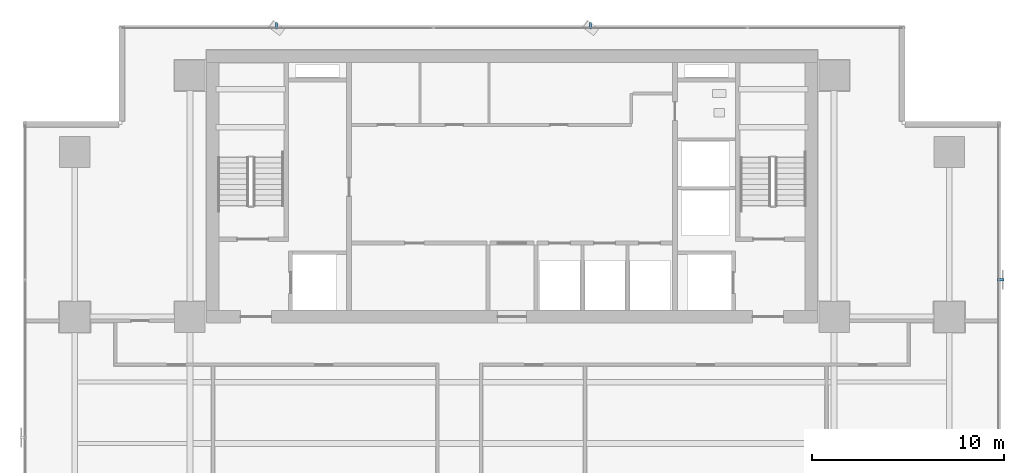
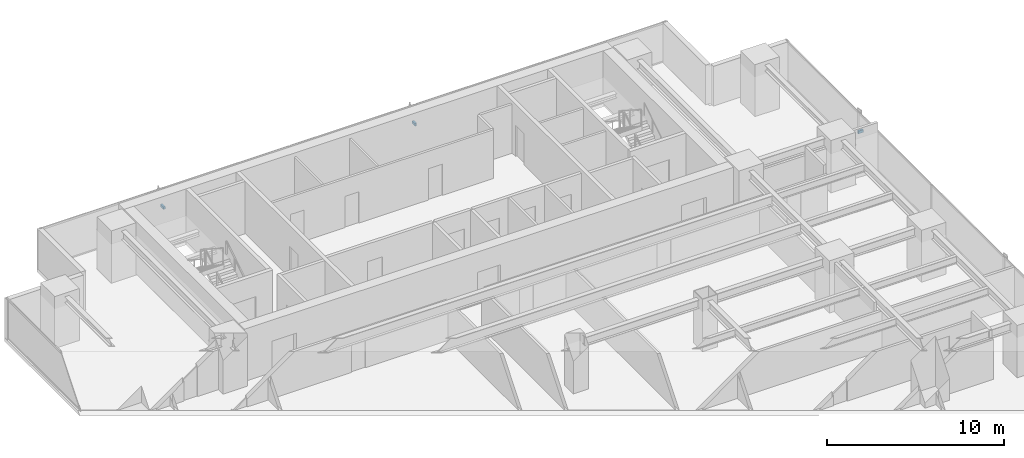
# One storey, part 32 of 37: 3 discrete accessories.
"""IFC4 building model written with IfcOpenShell, lengths in metres."""

from ifc_helpers import new_model, si_unit, direction, frame, origin, origin_2d, place, context, subcontext, project, spatial, rectangle, extrude, source, transform, mapped, material, material_profile, profile_set, type_object, element, save


model = new_model("IFC4")

# Units and contexts
model_context = context("Model", 3, precision=1e-05, world=origin(), true_north=direction((0.0, 1.0)))
body_context = subcontext(model_context, "Body", "Model", "MODEL_VIEW")
ifc_project = project(units=[si_unit("LENGTHUNIT", "METRE"), si_unit("AREAUNIT", "SQUARE_METRE"), si_unit("VOLUMEUNIT", "CUBIC_METRE"), si_unit("PLANEANGLEUNIT", "RADIAN"), si_unit("MASSUNIT", "GRAM", prefix="KILO")], contexts=[model_context])

# Site, building, storey
site_placement = place(None, origin())
site = spatial("IfcSite", under=ifc_project, at=site_placement, CompositionType="ELEMENT")
building_placement = place(site_placement, origin())
building = spatial("IfcBuilding", under=site, at=building_placement, Name="Sumidabori Civic Tower", CompositionType="ELEMENT")
storey_placement = place(building_placement, frame((0.0, 0.0, 110.0)))
storey = spatial("IfcBuildingStorey", under=building, at=storey_placement, Name="L28", CompositionType="ELEMENT", Elevation=110.0)

# Discrete accessories
ifc_material = material(Name="Stainless Steel Hairline Finish", Category="steel")
ifc_material_profile = material_profile(ifc_material, rectangle(XDim=0.1201171875, YDim=0.179931640625, at=origin_2d()), Name="STEEL BRACKET 180x120")
ifc_profile_set = profile_set([ifc_material_profile], Name="Stainless Steel Hairline Finish")
discrete_accessory_type = type_object("IfcDiscreteAccessoryType", Name="AC-BRK-180", PredefinedType="BRACKET", material=ifc_profile_set)
shared_shape_1 = source(origin(), body_context, "Body", "SweptSolid", [
    extrude(rectangle(XDim=0.1201171875, YDim=0.179931640625, at=origin_2d()), origin(), (0.0, 0.0, 1.0), 0.329833984375),
])
discrete_accessory_placement = place(storey_placement, frame((25.330078125, 12.14208984375, 1.360107421875), z_axis=(1.0, 0.0, 0.0), x_axis=(0.0, 1.0, 0.0)))
element("IfcDiscreteAccessory", 1, at=discrete_accessory_placement, inside=storey, type_object=discrete_accessory_type, Name="Bronze Fin Fixing Bracket L28-04", PredefinedType="BRACKET", context=body_context, shape_type="MappedRepresentation", body=[
    mapped(shared_shape_1, transform((0.0, 0.0, 0.0), x_axis=(1.0, 0.0, 0.0), y_axis=(0.0, 1.0, 0.0), z_axis=(0.0, 0.0, 1.0), scale=1.0)),
])
shared_shape_2 = source(origin(), body_context, "Body", "SweptSolid", [
    extrude(rectangle(XDim=0.1201171875, YDim=0.179931640625, at=origin_2d()), origin(), (0.0, 0.0, 1.0), 0.330078125),
])
for number, where, z_axis, x_axis, name in (
    (2, (4.093994140625, 25.22998046875, 1.360107421875), (0.0, 1.0, 0.0), (-1.0, 0.0, 0.0), "Bronze Fin Fixing Bracket L28-02"),
    (3, (-12.281982421875, 25.22998046875, 1.360107421875), (0.0, 1.0, 0.0), (-1.0, 0.0, 0.0), "Bronze Fin Fixing Bracket L28-04"),
):
    element("IfcDiscreteAccessory", number, at=place(storey_placement, frame(where, z_axis=z_axis, x_axis=x_axis)), inside=storey, type_object=discrete_accessory_type, Name=name, PredefinedType="BRACKET", context=body_context, shape_type="MappedRepresentation", body=[
        mapped(shared_shape_2, transform((0.0, 0.0, 0.0), x_axis=(1.0, 0.0, 0.0), y_axis=(0.0, 1.0, 0.0), z_axis=(0.0, 0.0, 1.0), scale=1.0)),
    ])

save(model, "model.ifc")
